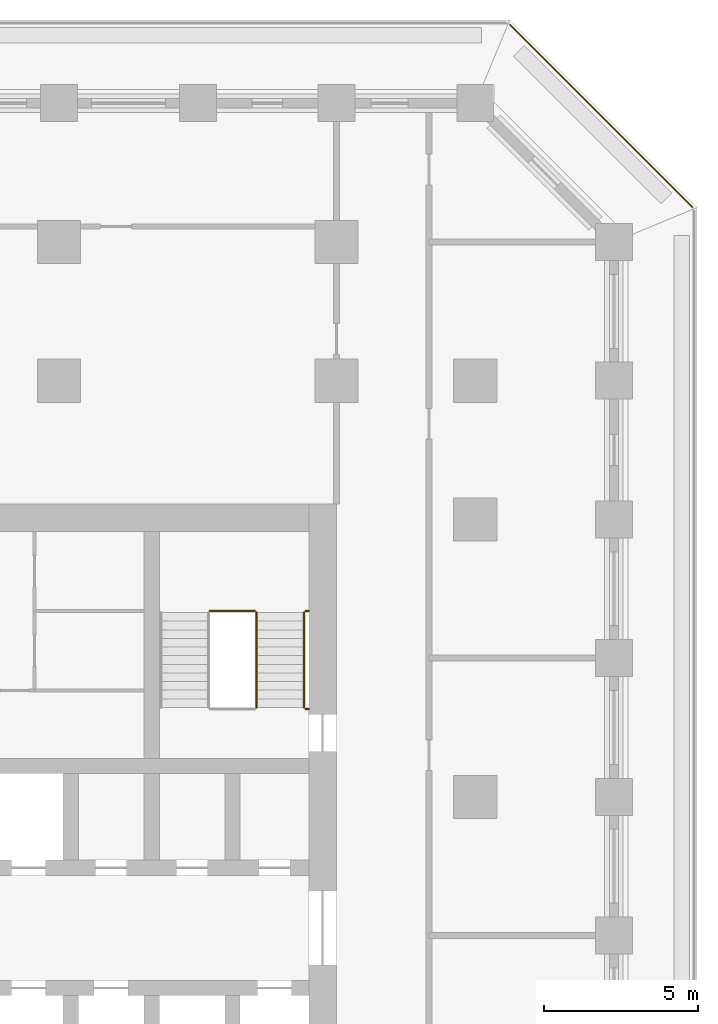
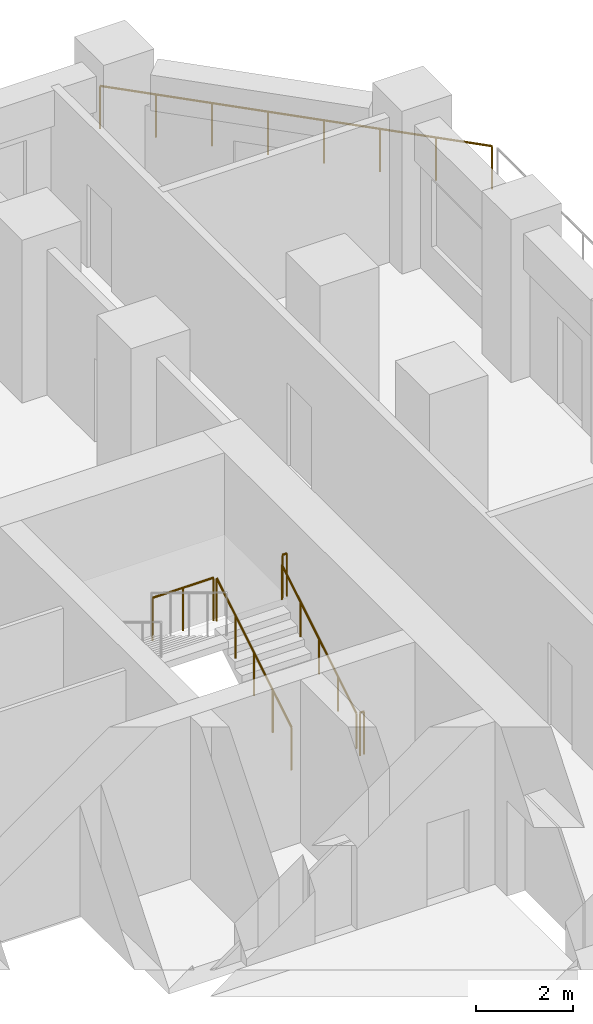
# One storey, part 15 of 16: 6 railings.
"""IFC4 building model written with IfcOpenShell, lengths in metres."""

from ifc_helpers import new_model, si_unit, direction, frame, origin, origin_2d, place, context, subcontext, project, spatial, circle, extrude, material, type_object, element, save


model = new_model("IFC4")

# Units and contexts
model_context = context("Model", 3, precision=1e-05, world=origin(), true_north=direction((0.0, 1.0)))
body_context = subcontext(model_context, "Body", "Model", "MODEL_VIEW")
ifc_project = project(units=[si_unit("LENGTHUNIT", "METRE"), si_unit("AREAUNIT", "SQUARE_METRE"), si_unit("VOLUMEUNIT", "CUBIC_METRE"), si_unit("PLANEANGLEUNIT", "RADIAN"), si_unit("MASSUNIT", "GRAM", prefix="KILO")], contexts=[model_context])

# Site, building, storey
site_placement = place(None, origin())
site = spatial("IfcSite", under=ifc_project, at=site_placement, CompositionType="ELEMENT")
building_placement = place(site_placement, origin())
building = spatial("IfcBuilding", under=site, at=building_placement, Name="Corbel Stack Research Tower", CompositionType="ELEMENT")
storey_placement = place(building_placement, frame((0.0, 0.0, 137.199951171875)))
storey = spatial("IfcBuildingStorey", under=building, at=storey_placement, Name="L31", CompositionType="ELEMENT", Elevation=137.199951171875)

# Railings
ifc_material_1 = material(Name="Steel S355", Category="steel")
railing_type_1 = type_object("IfcRailingType", Name="Stair guard 1100", PredefinedType="GUARDRAIL", material=ifc_material_1)
railing_1_placement = place(storey_placement, frame((15.39990234375, 11.89990234375, 0.1708984375)))
element("IfcRailing", 1, at=railing_1_placement, inside=storey, type_object=railing_type_1, Name="L31 ST-E2 stair guard 1", PredefinedType="GUARDRAIL", context=body_context, shape_type="SweptSolid", body=[
    extrude(circle(Radius=0.02392578125, at=origin_2d()), frame((0.0, 0.0, 1.076171875), z_axis=(0.0, 0.853666305674, 0.52082035152), x_axis=(-1.0, 0.0, 0.0)), (0.0, 0.0, 1.0), 3.608154296875),
    extrude(circle(Radius=0.02099609375, at=origin_2d()), origin(), (0.0, 0.0, 1.0), 1.052001953125),
    extrude(circle(Radius=0.02099609375, at=origin_2d()), frame((0.0, 0.77001953125, 0.4697265625)), (0.0, 0.0, 1.0), 1.052001953125),
    extrude(circle(Radius=0.02099609375, at=origin_2d()), frame((0.0, 1.5400390625, 0.939453125)), (0.0, 0.0, 1.0), 1.052001953125),
    extrude(circle(Radius=0.02099609375, at=origin_2d()), frame((0.0, 2.31005859375, 1.409423828125)), (0.0, 0.0, 1.0), 1.052001953125),
    extrude(circle(Radius=0.02099609375, at=origin_2d()), frame((0.0, 3.080078125, 1.879150390625)), (0.0, 0.0, 1.0), 1.052001953125),
])
railing_2_placement = place(storey_placement, frame((15.35009765625, 15.030029296875, 2.050048828125)))
element("IfcRailing", 2, at=railing_2_placement, inside=storey, type_object=railing_type_1, Name="L31 ST-E2 stair guard 2", PredefinedType="GUARDRAIL", context=body_context, shape_type="SweptSolid", body=[
    extrude(circle(Radius=0.02392578125, at=origin_2d()), frame((0.0, 0.0, 1.076171875), z_axis=(-1.0, 0.0, 0.0), x_axis=(0.0, -1.0, 0.0)), (0.0, 0.0, 1.0), 1.4501953125),
    extrude(circle(Radius=0.02099609375, at=origin_2d()), origin(), (0.0, 0.0, 1.0), 1.052001953125),
    extrude(circle(Radius=0.02099609375, at=origin_2d()), frame((-0.72509765625, 0.0, 0.0)), (0.0, 0.0, 1.0), 1.052001953125),
    extrude(circle(Radius=0.02099609375, at=origin_2d()), frame((-1.4501953125, 0.0, 0.0)), (0.0, 0.0, 1.0), 1.052001953125),
])
for number, where, name in (
    (3, (17.10009765625, 15.030029296875, 2.050048828125), "L31 ST-E2 stair guard 3"),
    (4, (17.10009765625, 11.85009765625, 0.0), "L31 ST-E2 stair guard 6"),
):
    element("IfcRailing", number, at=place(storey_placement, frame(where)), inside=storey, type_object=railing_type_1, Name=name, PredefinedType="GUARDRAIL", context=body_context, shape_type="SweptSolid", body=[
        extrude(circle(Radius=0.02392578125, at=origin_2d()), frame((0.0, 0.0, 1.076171875), z_axis=(-1.0, 0.0, 0.0), x_axis=(0.0, -1.0, 0.0)), (0.0, 0.0, 1.0), 0.10009765625),
        extrude(circle(Radius=0.02099609375, at=origin_2d()), origin(), (0.0, 0.0, 1.0), 1.052001953125),
        extrude(circle(Radius=0.02099609375, at=origin_2d()), frame((-0.10009765625, 0.0, 0.0)), (0.0, 0.0, 1.0), 1.052001953125),
    ])
ifc_material_2 = material(Name="Steel S355", Category="steel")
railing_type_2 = type_object("IfcRailingType", Name="Stair handrail 900", PredefinedType="HANDRAIL", material=ifc_material_2)
railing_3_placement = place(storey_placement, frame((16.949951171875, 11.89990234375, 0.1708984375)))
element("IfcRailing", 5, at=railing_3_placement, inside=storey, type_object=railing_type_2, Name="L31 ST-E2 stair handrail 1", PredefinedType="HANDRAIL", context=body_context, shape_type="SweptSolid", body=[
    extrude(circle(Radius=0.02392578125, at=origin_2d()), frame((0.0, 0.0, 0.8759765625), z_axis=(0.0, 0.853666305674, 0.52082035152), x_axis=(-1.0, 0.0, 0.0)), (0.0, 0.0, 1.0), 3.608154296875),
    extrude(circle(Radius=0.02099609375, at=origin_2d()), origin(), (0.0, 0.0, 1.0), 0.851806640625),
    extrude(circle(Radius=0.02099609375, at=origin_2d()), frame((0.0, 0.77001953125, 0.4697265625)), (0.0, 0.0, 1.0), 0.851806640625),
    extrude(circle(Radius=0.02099609375, at=origin_2d()), frame((0.0, 1.5400390625, 0.939453125)), (0.0, 0.0, 1.0), 0.851806640625),
    extrude(circle(Radius=0.02099609375, at=origin_2d()), frame((0.0, 2.31005859375, 1.409423828125)), (0.0, 0.0, 1.0), 0.851806640625),
    extrude(circle(Radius=0.02099609375, at=origin_2d()), frame((0.0, 3.080078125, 1.879150390625)), (0.0, 0.0, 1.0), 0.851806640625),
])
ifc_material_3 = material(Name="Powder-coated steel guard", Category="steel")
railing_type_3 = type_object("IfcRailingType", Name="Steel and glass guard 1100", PredefinedType="GUARDRAIL", material=ifc_material_3)
railing_4_placement = place(storey_placement, frame((29.54931640625, 28.127685546875, 0.0)))
element("IfcRailing", 6, at=railing_4_placement, inside=storey, type_object=railing_type_3, Name="Loggia guard L31 NE", PredefinedType="GUARDRAIL", context=body_context, shape_type="SweptSolid", body=[
    extrude(circle(Radius=0.02392578125, at=origin_2d()), frame((0.0, 0.0, 1.076171875), z_axis=(-0.707106781187, 0.707106781187, 0.0), x_axis=(-0.707106781187, -0.707106781187, 0.0)), (0.0, 0.0, 1.0), 8.37451171875),
    extrude(circle(Radius=0.02099609375, at=origin_2d()), origin(), (0.0, 0.0, 1.0), 1.052001953125),
    extrude(circle(Radius=0.02099609375, at=origin_2d()), frame((-0.845947265625, 0.845947265625, 0.0)), (0.0, 0.0, 1.0), 1.052001953125),
    extrude(circle(Radius=0.02099609375, at=origin_2d()), frame((-1.69189453125, 1.69189453125, 0.0)), (0.0, 0.0, 1.0), 1.052001953125),
    extrude(circle(Radius=0.02099609375, at=origin_2d()), frame((-2.537841796875, 2.537841796875, 0.0)), (0.0, 0.0, 1.0), 1.052001953125),
    extrude(circle(Radius=0.02099609375, at=origin_2d()), frame((-3.3837890625, 3.3837890625, 0.0)), (0.0, 0.0, 1.0), 1.052001953125),
    extrude(circle(Radius=0.02099609375, at=origin_2d()), frame((-4.229736328125, 4.229736328125, 0.0)), (0.0, 0.0, 1.0), 1.052001953125),
    extrude(circle(Radius=0.02099609375, at=origin_2d()), frame((-5.07568359375, 5.07568359375, 0.0)), (0.0, 0.0, 1.0), 1.052001953125),
    extrude(circle(Radius=0.02099609375, at=origin_2d()), frame((-5.921630859375, 5.921630859375, 0.0)), (0.0, 0.0, 1.0), 1.052001953125),
])

save(model, "model.ifc")
